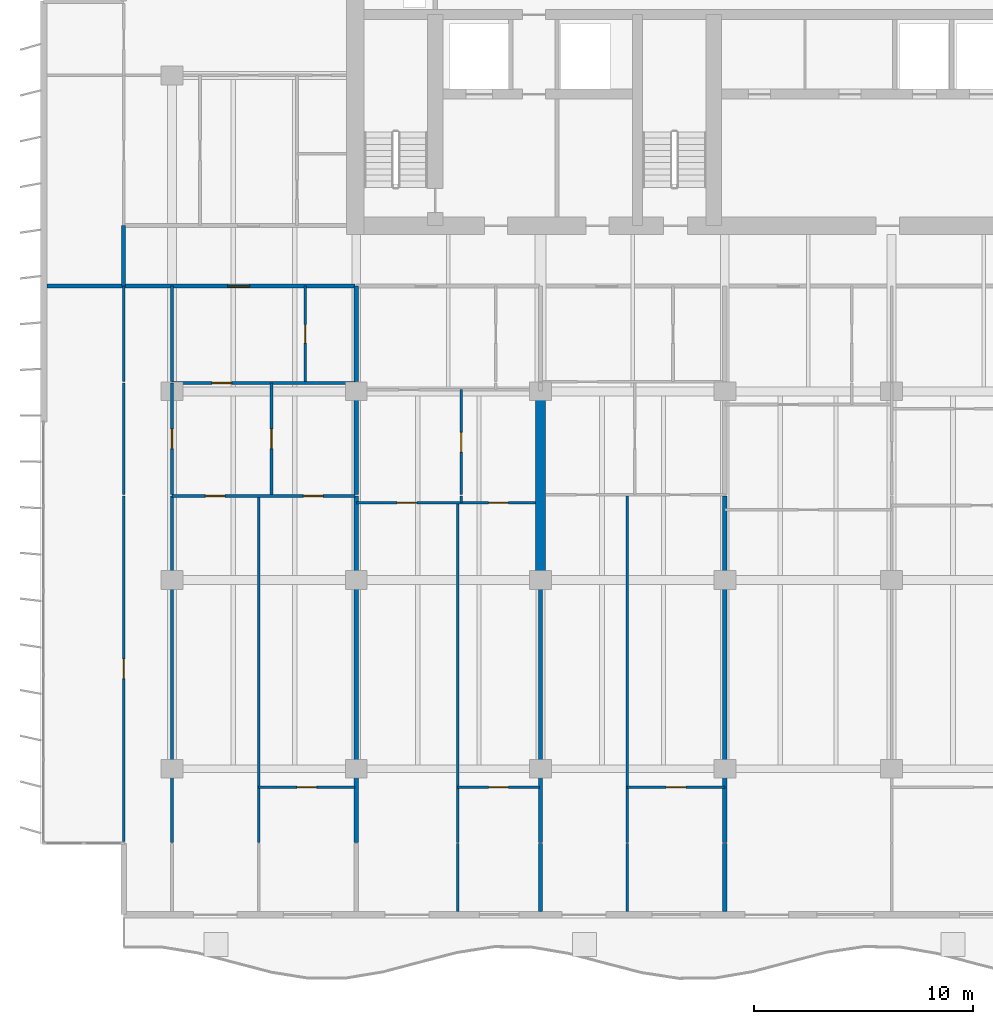
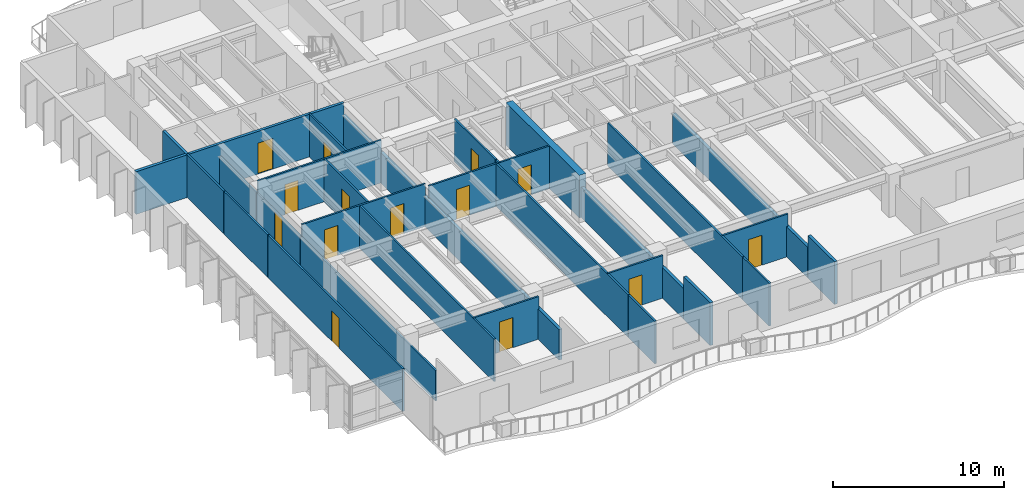
# One storey, part 6 of 16: 32 walls, 14 doors, 14 openings.
"""IFC4 building model written with IfcOpenShell, lengths in metres."""

import ifcopenshell
import ifcopenshell.guid

model = None  # the IFC model being written
_history = None  # IfcOwnerHistory: only IFC2X3 demands one
_inside = {}  # id of a spatial element -> (the spatial element, [elements in it])
_under = {}  # id of a project, library or spatial element -> (it, [spatial elements below it])
_declared = {}  # id of a project -> (the project, [libraries it declares])
_typed = {}  # id of a type object -> (the type object, [elements of that type])
_made_of = {}  # id of a material, layer set ... -> (it, [elements and type objects made of it])


def new_model(schema):
    """Start an empty IFC model of exactly this schema.

    Asked for "IFC4X3", IfcOpenShell would pick the latest addendum, in which some entities
    have other attributes; the version numbers below select the first issue.
    IFC2X3 requires an IfcOwnerHistory on every rooted entity: one is made here for all.
    """
    global model, _history
    if schema == "IFC4X3":
        model = ifcopenshell.file(schema_version=(4, 3, 0, 0))
    else:
        model = ifcopenshell.file(schema=schema)
    _inside.clear()
    _under.clear()
    _declared.clear()
    _typed.clear()
    _made_of.clear()
    _history = None
    if model.schema == "IFC2X3":
        org = make("IfcOrganization", Name="unknown")
        user = make(
            "IfcPersonAndOrganization",
            ThePerson=make("IfcPerson", FamilyName="unknown"),
            TheOrganization=org,
        )
        app = make(
            "IfcApplication",
            ApplicationDeveloper=org,
            Version="unknown",
            ApplicationFullName="unknown",
            ApplicationIdentifier="unknown",
        )
        _history = make(
            "IfcOwnerHistory",
            OwningUser=user,
            OwningApplication=app,
            ChangeAction="ADDED",
            CreationDate=0,
        )
    return model


def make(cls, **values):
    """One entity of the class cls with the attributes given. An attribute that is None is left unset."""
    return model.create_entity(
        cls, **{name: value for name, value in values.items() if value is not None}
    )


def rooted(cls, **values):
    """An entity with a GlobalId (a new one), such as an element, a storey or a relation."""
    return make(cls, GlobalId=ifcopenshell.guid.new(), OwnerHistory=_history, **values)


def si_unit(unit_type, name, prefix=None):
    """IfcSIUnit, for example si_unit("LENGTHUNIT", "METRE", prefix="MILLI")."""
    return make("IfcSIUnit", UnitType=unit_type, Prefix=prefix, Name=name)


def assignment(units):
    """IfcUnitAssignment: the units of a project."""
    return None if units is None else make("IfcUnitAssignment", Units=units)


def point(xyz):
    """IfcCartesianPoint."""
    return None if xyz is None else make("IfcCartesianPoint", Coordinates=xyz)


def direction(xyz):
    """IfcDirection."""
    return None if xyz is None else make("IfcDirection", DirectionRatios=xyz)


def frame(location, z_axis=None, x_axis=None):
    """IfcAxis2Placement3D, a coordinate frame: its origin and axes. An axis left out is left unset."""
    return make(
        "IfcAxis2Placement3D",
        Location=point(location),
        Axis=direction(z_axis),
        RefDirection=direction(x_axis),
    )


def frame_2d(location, x_axis=None):
    """IfcAxis2Placement2D, a coordinate frame in the plane: its origin and x axis."""
    return make(
        "IfcAxis2Placement2D", Location=point(location), RefDirection=direction(x_axis)
    )


def origin():
    """The frame at (0, 0, 0) with its axes left unset."""
    return frame((0.0, 0.0, 0.0))


def place(relative_to, where):
    """IfcLocalPlacement: puts the frame where relative to a parent placement (None: the world)."""
    return make(
        "IfcLocalPlacement", PlacementRelTo=relative_to, RelativePlacement=where
    )


def context(
    kind, dimensions, precision=None, world=None, true_north=None, identifier=None
):
    """IfcGeometricRepresentationContext, for example the 3D "Model" context."""
    return make(
        "IfcGeometricRepresentationContext",
        ContextIdentifier=identifier,
        ContextType=kind,
        CoordinateSpaceDimension=dimensions,
        Precision=precision,
        WorldCoordinateSystem=world,
        TrueNorth=true_north,
    )


def subcontext(parent, identifier, kind, view, scale=None):
    """IfcGeometricRepresentationSubContext, for example "Body" below "Model"."""
    return make(
        "IfcGeometricRepresentationSubContext",
        ContextIdentifier=identifier,
        ContextType=kind,
        ParentContext=parent,
        TargetScale=scale,
        TargetView=view,
    )


def project(units=None, contexts=None):
    """IfcProject with its units and contexts."""
    return rooted(
        "IfcProject",
        Name="project",
        RepresentationContexts=contexts,
        UnitsInContext=assignment(units),
    )


def spatial(cls, under=None, at=None, **own):
    """A site, building, storey or space (cls), placed at a placement, below another one or the project."""
    s = rooted(cls, ObjectPlacement=at, **own)
    if under is not None:
        _under.setdefault(under.id(), (under, []))[1].append(s)
    return s


def profile(cls, at=None, kind="AREA", **sizes):
    """A parametric profile (cls). Its sizes go by their IFC names, for example OverallWidth=200.0."""
    return make(cls, ProfileType=kind, Position=at, **sizes)


def rectangle(**sizes):
    """IfcRectangleProfileDef."""
    return profile("IfcRectangleProfileDef", **sizes)


def extrude(swept, where, along, depth):
    """IfcExtrudedAreaSolid: the profile swept, set in the frame where, extruded along a direction by depth."""
    return make(
        "IfcExtrudedAreaSolid",
        SweptArea=swept,
        Position=where,
        ExtrudedDirection=direction(along),
        Depth=depth,
    )


def shape(context_of_items, identifier, shape_type, items):
    """IfcShapeRepresentation: the items that make up one representation, for example the "Body"."""
    return make(
        "IfcShapeRepresentation",
        ContextOfItems=context_of_items,
        RepresentationIdentifier=identifier,
        RepresentationType=shape_type,
        Items=items,
    )


def material(Name=None, Category=None):
    """IfcMaterial."""
    return make("IfcMaterial", Name=Name, Category=Category)


def layer(
    of_material, thickness, ventilated=None, Name=None, Category=None, Priority=None
):
    """IfcMaterialLayer: one layer of a wall or slab, of a material (None: an air gap)."""
    return make(
        "IfcMaterialLayer",
        Material=of_material,
        LayerThickness=thickness,
        IsVentilated=ventilated,
        Name=Name,
        Category=Category,
        Priority=Priority,
    )


def layer_set(layers, Name=None):
    """IfcMaterialLayerSet."""
    return make("IfcMaterialLayerSet", MaterialLayers=layers, LayerSetName=Name)


def made_of(thing, what):
    """Note that an element or type object is made of a material, layer set ...; save() writes the relation."""
    if what is not None:
        _made_of.setdefault(what.id(), (what, []))[1].append(thing)
    return thing


def type_object(cls, material=None, **own):
    """A type object (cls), such as IfcWallType, which elements share."""
    return made_of(rooted(cls, **own), material)


def element(
    cls,
    number,
    at=None,
    inside=None,
    cuts=None,
    type_object=None,
    material=None,
    context=None,
    identifier="Body",
    shape_type=None,
    held_by="IfcProductDefinitionShape",
    body=None,
    shapes=None,
    **own,
):
    """One element of the class cls, such as IfcWall. Its Tag is "e" and its number.

    at: its placement. inside: the storey or other place that contains it. cuts: it is an
    opening in that element (IfcRelVoidsElement). A single representation is given by context,
    identifier, shape_type and body (its items); several are given by shapes. held_by: the class
    of the entity that holds the representations. save() writes the other relations.
    """
    e = rooted(cls, Tag="e%d" % number, ObjectPlacement=at, **own)
    if body is not None:
        shapes = [shape(context, identifier, shape_type, body)]
    if shapes is not None:
        e.Representation = make(held_by, Representations=shapes)
    if inside is not None:
        _inside.setdefault(inside.id(), (inside, []))[1].append(e)
    if cuts is not None:
        rooted(
            "IfcRelVoidsElement", RelatingBuildingElement=cuts, RelatedOpeningElement=e
        )
    if type_object is not None:
        _typed.setdefault(type_object.id(), (type_object, []))[1].append(e)
    return made_of(e, material)


def fill(opening, filler):
    """IfcRelFillsElement: the door or window that sits in an opening."""
    return rooted(
        "IfcRelFillsElement",
        RelatingOpeningElement=opening,
        RelatedBuildingElement=filler,
    )


def aggregate(whole, parts):
    """IfcRelAggregates: a whole, such as a stair, and the parts it consists of."""
    return rooted("IfcRelAggregates", RelatingObject=whole, RelatedObjects=parts)


def save(model, path):
    """Write the relations noted so far, then the file.

    IfcRelAggregates (storeys below a building ...), IfcRelContainedInSpatialStructure (elements
    in a storey), IfcRelDefinesByType, IfcRelAssociatesMaterial and IfcRelDeclares: one each for
    every whole, place, type object, material and project.
    """
    for whole, parts in _under.values():
        aggregate(whole, parts)
    for where, things in _inside.values():
        rooted(
            "IfcRelContainedInSpatialStructure",
            RelatedElements=things,
            RelatingStructure=where,
        )
    for kind, things in _typed.values():
        rooted("IfcRelDefinesByType", RelatedObjects=things, RelatingType=kind)
    for what, things in _made_of.values():
        rooted("IfcRelAssociatesMaterial", RelatedObjects=things, RelatingMaterial=what)
    for by, libraries in _declared.values():
        rooted("IfcRelDeclares", RelatingContext=by, RelatedDefinitions=libraries)
    model.write(path)


model = new_model("IFC4")

# Units and contexts
model_context = context("Model", 3, precision=1e-05, world=origin(), true_north=direction((0.0, 1.0)))
body_context = subcontext(model_context, "Body", "Model", "MODEL_VIEW")
ifc_project = project(units=[si_unit("LENGTHUNIT", "METRE"), si_unit("AREAUNIT", "SQUARE_METRE"), si_unit("VOLUMEUNIT", "CUBIC_METRE"), si_unit("PLANEANGLEUNIT", "RADIAN"), si_unit("MASSUNIT", "GRAM", prefix="KILO")], contexts=[model_context])

# Site, building, storey
site_placement = place(None, origin())
site = spatial("IfcSite", under=ifc_project, at=site_placement, CompositionType="ELEMENT")
building_placement = place(site_placement, origin())
building = spatial("IfcBuilding", under=site, at=building_placement, Name="Caelmar Bay Residences", CompositionType="ELEMENT")
storey_placement = place(building_placement, frame((0.0, 0.0, 145.5)))
storey = spatial("IfcBuildingStorey", under=building, at=storey_placement, Name="L40", CompositionType="ELEMENT", Elevation=145.5)

# Walls
ifc_material_1 = material(Name="Concrete f'c 55 MPa (8,000 psi)", Category="concrete")
ifc_layer_1 = layer(ifc_material_1, 0.449951171875)
ifc_layer_set_1 = layer_set([ifc_layer_1], Name="Concrete f'c 55 MPa (8,000 psi)")
wall_type_1 = type_object("IfcWallType", Name="SW-XSLB-450", PredefinedType="SHEAR", material=ifc_layer_set_1)
wall_1_placement = place(storey_placement, frame((26.699951171875, 20.800048828125, 0.0), z_axis=(0.0, 0.0, 1.0), x_axis=(0.0, 1.0, 0.0)))
element("IfcWall", 1, at=wall_1_placement, inside=storey, type_object=wall_type_1, Name="L40 Transverse Cross-Slab Shear Wall W5", PredefinedType="SHEAR", context=body_context, shape_type="SweptSolid", body=[
    extrude(rectangle(XDim=8.599853515625, YDim=0.449951171875, at=frame_2d((4.2998046875, 0.0))), origin(), (0.0, 0.0, 1.0), 3.050048828125),
])
ifc_material_2 = material(Name="Double-stud acoustic fire-rated gypsum partition 180 mm")
ifc_layer_2 = layer(ifc_material_2, 0.179931640625)
ifc_layer_set_2 = layer_set([ifc_layer_2], Name="Double-stud acoustic fire-rated gypsum partition 180 mm")
wall_type_2 = type_object("IfcWallType", Name="W-COR-200", PredefinedType="PARTITIONING", material=ifc_layer_set_2)
wall_2_placement = place(storey_placement, frame((7.699951171875, 34.205078125, 0.0), z_axis=(0.0, 0.0, 1.0), x_axis=(0.0, 1.0, 0.0)))
element("IfcWall", 2, at=wall_2_placement, inside=storey, type_object=wall_type_2, Name="L40 Partition Wall V004", PredefinedType="PARTITIONING", context=body_context, shape_type="SweptSolid", body=[
    extrude(rectangle(XDim=2.744873046875, YDim=0.179931640625, at=frame_2d((1.37255859375, 0.0))), origin(), (0.0, 0.0, 1.0), 3.050048828125),
])

# Wall, opening, door
wall_3_placement = place(storey_placement, frame((7.705078125, 34.199951171875, 0.0), z_axis=(0.0, 0.0, 1.0), x_axis=(1.0, 0.0, 0.0)))
wall_3 = element("IfcWall", 3, at=wall_3_placement, inside=storey, type_object=wall_type_2, Name="L40 Partition Wall H110", PredefinedType="PARTITIONING", context=body_context, shape_type="SweptSolid", body=[
    extrude(rectangle(XDim=10.544921875, YDim=0.179931640625, at=frame_2d((5.2724609375, 0.0))), origin(), (0.0, 0.0, 1.0), 3.050048828125),
])
opening_1_placement = place(wall_3_placement, frame((4.72998046875, 0.0, 0.0)))
opening_1 = element("IfcOpeningElement", 4, at=opening_1_placement, cuts=wall_3, Name="Opening D-L40-124", PredefinedType="OPENING", context=body_context, shape_type="SweptSolid", body=[
    extrude(rectangle(XDim=1.0, YDim=2.199951171875, at=frame_2d((0.5, 1.10009765625))), frame((0.0, 0.099853515625, 0.0), z_axis=(0.0, -1.0, 0.0), x_axis=(1.0, 0.0, 0.0)), (0.0, 0.0, 1.0), 0.199951171875),
])
ifc_material_3 = material(Name="Fire-rated steel and walnut architectural door assembly", Category="steel")
ifc_layer_3 = layer(ifc_material_3, 0.050048828125)
ifc_layer_set_3 = layer_set([ifc_layer_3], Name="Fire-rated steel and walnut architectural door assembly")
door_type_1 = type_object("IfcDoorType", Name="D-UNIT-1000", OperationType="NOTDEFINED", PredefinedType="DOOR", material=ifc_layer_set_3)
door_1_placement = place(opening_1_placement, origin())
door_1 = element("IfcDoor", 5, at=door_1_placement, inside=storey, type_object=door_type_1, Name="L40 Residence 01 Apartment Hall Door", OperationType="SINGLE_SWING_RIGHT", OverallHeight=2.199951171875, OverallWidth=1.0, PredefinedType="DOOR", context=body_context, shape_type="SweptSolid", body=[
    extrude(rectangle(XDim=1.0, YDim=2.199951171875, at=frame_2d((0.5, 1.10009765625))), frame((0.0, 0.02490234375, 0.0), z_axis=(0.0, -1.0, 0.0), x_axis=(1.0, 0.0, 0.0)), (0.0, 0.0, 1.0), 0.050048828125),
])
fill(opening_1, door_1)

ifc_material_4 = material(Name="Acoustic metal-stud gypsum partition 120 mm")
ifc_layer_4 = layer(ifc_material_4, 0.1201171875)
ifc_layer_set_4 = layer_set([ifc_layer_4], Name="Acoustic metal-stud gypsum partition 120 mm")
wall_type_3 = type_object("IfcWallType", Name="W-PRT-120", PredefinedType="PARTITIONING", material=ifc_layer_set_4)
wall_4_placement = place(storey_placement, frame((7.699951171875, 8.885009765625, 0.0), z_axis=(0.0, 0.0, 1.0), x_axis=(0.0, 1.0, 0.0)))
wall_4 = element("IfcWall", 6, at=wall_4_placement, inside=storey, type_object=wall_type_3, Name="L40 Partition Wall V001", PredefinedType="PARTITIONING", context=body_context, shape_type="SweptSolid", body=[
    extrude(rectangle(XDim=15.744873046875, YDim=0.1201171875, at=frame_2d((7.87255859375, 0.0))), origin(), (0.0, 0.0, 1.0), 3.050048828125),
])
opening_2_placement = place(wall_4_placement, frame((7.422607421875, 0.0, 0.0)))
opening_2 = element("IfcOpeningElement", 7, at=opening_2_placement, cuts=wall_4, Name="Opening D-L40-166", PredefinedType="OPENING", context=body_context, shape_type="SweptSolid", body=[
    extrude(rectangle(XDim=0.89990234375, YDim=2.14990234375, at=frame_2d((0.449951171875, 1.074951171875))), frame((0.0, 0.070068359375, 0.0), z_axis=(0.0, -1.0, 0.0), x_axis=(1.0, 0.0, 0.0)), (0.0, 0.0, 1.0), 0.14013671875),
])
ifc_material_5 = material(Name="Solid walnut timber interior door leaf and frame", Category="wood")
ifc_layer_5 = layer(ifc_material_5, 0.050048828125)
ifc_layer_set_5 = layer_set([ifc_layer_5], Name="Solid walnut timber interior door leaf and frame")
door_type_2 = type_object("IfcDoorType", Name="D-ROOM-900", OperationType="NOTDEFINED", PredefinedType="DOOR", material=ifc_layer_set_5)
door_2_placement = place(opening_2_placement, origin())
door_2 = element("IfcDoor", 8, at=door_2_placement, inside=storey, type_object=door_type_2, Name="L40 Residence 01 Penthouse West Salon Door", OperationType="SINGLE_SWING_RIGHT", OverallHeight=2.14990234375, OverallWidth=0.89990234375, PredefinedType="DOOR", context=body_context, shape_type="SweptSolid", body=[
    extrude(rectangle(XDim=0.89990234375, YDim=2.14990234375, at=frame_2d((0.449951171875, 1.074951171875))), frame((0.0, 0.02490234375, 0.0), z_axis=(0.0, -1.0, 0.0), x_axis=(1.0, 0.0, 0.0)), (0.0, 0.0, 1.0), 0.050048828125),
])
fill(opening_2, door_2)

# Walls
wall_5_placement = place(storey_placement, frame((7.699951171875, 24.68994140625, 0.0), z_axis=(0.0, 0.0, 1.0), x_axis=(0.0, 1.0, 0.0)))
element("IfcWall", 9, at=wall_5_placement, inside=storey, type_object=wall_type_3, Name="L40 Partition Wall V002", PredefinedType="PARTITIONING", context=body_context, shape_type="SweptSolid", body=[
    extrude(rectangle(XDim=5.090087890625, YDim=0.1201171875, at=frame_2d((2.544921875, 0.0))), origin(), (0.0, 0.0, 1.0), 3.050048828125),
])
wall_6_placement = place(storey_placement, frame((7.699951171875, 29.840087890625, 0.0), z_axis=(0.0, 0.0, 1.0), x_axis=(0.0, 1.0, 0.0)))
element("IfcWall", 10, at=wall_6_placement, inside=storey, type_object=wall_type_3, Name="L40 Partition Wall V003", PredefinedType="PARTITIONING", context=body_context, shape_type="SweptSolid", body=[
    extrude(rectangle(XDim=4.35986328125, YDim=0.1201171875, at=frame_2d((2.179931640625, 0.0))), origin(), (0.0, 0.0, 1.0), 3.050048828125),
])
wall_7_placement = place(storey_placement, frame((9.89990234375, 8.840087890625, 0.0), z_axis=(0.0, 0.0, 1.0), x_axis=(0.0, 1.0, 0.0)))
element("IfcWall", 11, at=wall_7_placement, inside=storey, type_object=wall_type_3, Name="L40 Partition Wall V008", PredefinedType="PARTITIONING", context=body_context, shape_type="SweptSolid", body=[
    extrude(rectangle(XDim=15.789794921875, YDim=0.1201171875, at=frame_2d((7.89501953125, 0.0))), origin(), (0.0, 0.0, 1.0), 2.174072265625),
])

# Wall, opening, door
wall_8_placement = place(storey_placement, frame((9.89990234375, 24.68994140625, 0.0), z_axis=(0.0, 0.0, 1.0), x_axis=(0.0, 1.0, 0.0)))
wall_8 = element("IfcWall", 12, at=wall_8_placement, inside=storey, type_object=wall_type_3, Name="L40 Partition Wall V009", PredefinedType="PARTITIONING", context=body_context, shape_type="SweptSolid", body=[
    extrude(rectangle(XDim=5.090087890625, YDim=0.1201171875, at=frame_2d((2.544921875, 0.0))), origin(), (0.0, 0.0, 1.0), 2.174072265625),
])
opening_3_placement = place(wall_8_placement, frame((2.094970703125, 0.0, 0.0)))
opening_3 = element("IfcOpeningElement", 13, at=opening_3_placement, cuts=wall_8, Name="Opening D-L40-131", PredefinedType="OPENING", context=body_context, shape_type="SweptSolid", body=[
    extrude(rectangle(XDim=0.89990234375, YDim=2.1240234375, at=frame_2d((0.449951171875, 1.06201171875))), frame((0.0, 0.070068359375, 0.0), z_axis=(0.0, -1.0, 0.0), x_axis=(1.0, 0.0, 0.0)), (0.0, 0.0, 1.0), 0.14013671875),
])
door_3_placement = place(opening_3_placement, origin())
door_3 = element("IfcDoor", 14, at=door_3_placement, inside=storey, type_object=door_type_2, Name="L40 Residence 01 West Apartment Hall Door", OperationType="SINGLE_SWING_LEFT", OverallHeight=2.1240234375, OverallWidth=0.89990234375, PredefinedType="DOOR", context=body_context, shape_type="SweptSolid", body=[
    extrude(rectangle(XDim=0.89990234375, YDim=2.1240234375, at=frame_2d((0.449951171875, 1.06201171875))), frame((0.0, 0.02490234375, 0.0), z_axis=(0.0, -1.0, 0.0), x_axis=(1.0, 0.0, 0.0)), (0.0, 0.0, 1.0), 0.050048828125),
])
fill(opening_3, door_3)

# Walls
wall_9_placement = place(storey_placement, frame((9.89990234375, 29.840087890625, 0.0), z_axis=(0.0, 0.0, 1.0), x_axis=(0.0, 1.0, 0.0)))
element("IfcWall", 15, at=wall_9_placement, inside=storey, type_object=wall_type_3, Name="L40 Partition Wall V010", PredefinedType="PARTITIONING", context=body_context, shape_type="SweptSolid", body=[
    extrude(rectangle(XDim=4.35986328125, YDim=0.1201171875, at=frame_2d((2.179931640625, 0.0))), origin(), (0.0, 0.0, 1.0), 2.174072265625),
])
wall_10_placement = place(storey_placement, frame((13.847900390625, 8.840087890625, 0.0), z_axis=(0.0, 0.0, 1.0), x_axis=(0.0, 1.0, 0.0)))
element("IfcWall", 16, at=wall_10_placement, inside=storey, type_object=wall_type_3, Name="L40 Partition Wall V013", PredefinedType="PARTITIONING", context=body_context, shape_type="SweptSolid", body=[
    extrude(rectangle(XDim=15.789794921875, YDim=0.1201171875, at=frame_2d((7.89501953125, 0.0))), origin(), (0.0, 0.0, 1.0), 3.050048828125),
])

# Wall, opening, door
wall_11_placement = place(storey_placement, frame((14.43603515625, 24.68994140625, 0.0), z_axis=(0.0, 0.0, 1.0), x_axis=(0.0, 1.0, 0.0)))
wall_11 = element("IfcWall", 17, at=wall_11_placement, inside=storey, type_object=wall_type_3, Name="L40 Partition Wall V014", PredefinedType="PARTITIONING", context=body_context, shape_type="SweptSolid", body=[
    extrude(rectangle(XDim=5.090087890625, YDim=0.1201171875, at=frame_2d((2.544921875, 0.0))), origin(), (0.0, 0.0, 1.0), 3.050048828125),
])
opening_4_placement = place(wall_11_placement, frame((2.094970703125, 0.0, 0.0)))
opening_4 = element("IfcOpeningElement", 18, at=opening_4_placement, cuts=wall_11, Name="Opening D-L40-127", PredefinedType="OPENING", context=body_context, shape_type="SweptSolid", body=[
    extrude(rectangle(XDim=0.89990234375, YDim=2.14990234375, at=frame_2d((0.449951171875, 1.074951171875))), frame((0.0, 0.070068359375, 0.0), z_axis=(0.0, -1.0, 0.0), x_axis=(1.0, 0.0, 0.0)), (0.0, 0.0, 1.0), 0.14013671875),
])
door_4_placement = place(opening_4_placement, origin())
door_4 = element("IfcDoor", 19, at=door_4_placement, inside=storey, type_object=door_type_2, Name="L40 Residence 01 Curator Office Door", OperationType="SINGLE_SWING_LEFT", OverallHeight=2.14990234375, OverallWidth=0.89990234375, PredefinedType="DOOR", context=body_context, shape_type="SweptSolid", body=[
    extrude(rectangle(XDim=0.89990234375, YDim=2.14990234375, at=frame_2d((0.449951171875, 1.074951171875))), frame((0.0, 0.02490234375, 0.0), z_axis=(0.0, -1.0, 0.0), x_axis=(1.0, 0.0, 0.0)), (0.0, 0.0, 1.0), 0.050048828125),
])
fill(opening_4, door_4)

wall_12_placement = place(storey_placement, frame((15.969970703125, 29.840087890625, 0.0), z_axis=(0.0, 0.0, 1.0), x_axis=(0.0, 1.0, 0.0)))
wall_12 = element("IfcWall", 20, at=wall_12_placement, inside=storey, type_object=wall_type_3, Name="L40 Partition Wall V016", PredefinedType="PARTITIONING", context=body_context, shape_type="SweptSolid", body=[
    extrude(rectangle(XDim=4.35986328125, YDim=0.1201171875, at=frame_2d((2.179931640625, 0.0))), origin(), (0.0, 0.0, 1.0), 3.050048828125),
])
opening_5_placement = place(wall_12_placement, frame((1.7548828125, 0.0, 0.0)))
opening_5 = element("IfcOpeningElement", 21, at=opening_5_placement, cuts=wall_12, Name="Opening D-L40-125", PredefinedType="OPENING", context=body_context, shape_type="SweptSolid", body=[
    extrude(rectangle(XDim=0.85009765625, YDim=2.10009765625, at=frame_2d((0.425048828125, 1.050048828125))), frame((0.0, 0.070068359375, 0.0), z_axis=(0.0, -1.0, 0.0), x_axis=(1.0, 0.0, 0.0)), (0.0, 0.0, 1.0), 0.14013671875),
])
ifc_layer_6 = layer(ifc_material_5, 0.050048828125)
ifc_layer_set_6 = layer_set([ifc_layer_6], Name="Solid walnut timber interior door leaf and frame")
door_type_3 = type_object("IfcDoorType", Name="D-BATH-850", OperationType="NOTDEFINED", PredefinedType="DOOR", material=ifc_layer_set_6)
door_5_placement = place(opening_5_placement, origin())
door_5 = element("IfcDoor", 22, at=door_5_placement, inside=storey, type_object=door_type_3, Name="L40 Residence 01 Bathroom Door", OperationType="SINGLE_SWING_LEFT", OverallHeight=2.10009765625, OverallWidth=0.85009765625, PredefinedType="DOOR", context=body_context, shape_type="SweptSolid", body=[
    extrude(rectangle(XDim=0.85009765625, YDim=2.10009765625, at=frame_2d((0.425048828125, 1.050048828125))), frame((0.0, 0.02490234375, 0.0), z_axis=(0.0, -1.0, 0.0), x_axis=(1.0, 0.0, 0.0)), (0.0, 0.0, 1.0), 0.050048828125),
])
fill(opening_5, door_5)

# Walls
wall_13_placement = place(storey_placement, frame((22.919921875, 5.695068359375, 0.0), z_axis=(0.0, 0.0, 1.0), x_axis=(0.0, 1.0, 0.0)))
element("IfcWall", 23, at=wall_13_placement, inside=storey, type_object=wall_type_3, Name="L40 Partition Wall V022", PredefinedType="PARTITIONING", context=body_context, shape_type="SweptSolid", body=[
    extrude(rectangle(XDim=3.10498046875, YDim=0.1201171875, at=frame_2d((1.552490234375, 0.0))), origin(), (0.0, 0.0, 1.0), 3.050048828125),
])
wall_14_placement = place(storey_placement, frame((22.919921875, 8.840087890625, 0.0), z_axis=(0.0, 0.0, 1.0), x_axis=(0.0, 1.0, 0.0)))
element("IfcWall", 24, at=wall_14_placement, inside=storey, type_object=wall_type_3, Name="L40 Partition Wall V023", PredefinedType="PARTITIONING", context=body_context, shape_type="SweptSolid", body=[
    extrude(rectangle(XDim=15.489990234375, YDim=0.1201171875, at=frame_2d((7.7451171875, 0.0))), origin(), (0.0, 0.0, 1.0), 3.050048828125),
])
wall_15_placement = place(storey_placement, frame((23.0859375, 24.3349609375, 0.0), z_axis=(0.0, 0.0, 1.0), x_axis=(0.0, 1.0, 0.0)))
element("IfcWall", 25, at=wall_15_placement, inside=storey, type_object=wall_type_3, Name="L40 Partition Wall V024", PredefinedType="PARTITIONING", context=body_context, shape_type="SweptSolid", body=[
    extrude(rectangle(XDim=0.294921875, YDim=0.1201171875, at=frame_2d((0.1474609375, 0.0))), origin(), (0.0, 0.0, 1.0), 3.050048828125),
])

# Wall, opening, door
wall_16_placement = place(storey_placement, frame((23.0859375, 24.68994140625, 0.0), z_axis=(0.0, 0.0, 1.0), x_axis=(0.0, 1.0, 0.0)))
wall_16 = element("IfcWall", 26, at=wall_16_placement, inside=storey, type_object=wall_type_3, Name="L40 Partition Wall V025", PredefinedType="PARTITIONING", context=body_context, shape_type="SweptSolid", body=[
    extrude(rectangle(XDim=4.7900390625, YDim=0.1201171875, at=frame_2d((2.39501953125, 0.0))), origin(), (0.0, 0.0, 1.0), 3.050048828125),
])
opening_6_placement = place(wall_16_placement, frame((1.945068359375, 0.0, 0.0)))
opening_6 = element("IfcOpeningElement", 27, at=opening_6_placement, cuts=wall_16, Name="Opening D-L40-135", PredefinedType="OPENING", context=body_context, shape_type="SweptSolid", body=[
    extrude(rectangle(XDim=0.89990234375, YDim=2.14990234375, at=frame_2d((0.449951171875, 1.074951171875))), frame((0.0, 0.070068359375, 0.0), z_axis=(0.0, -1.0, 0.0), x_axis=(1.0, 0.0, 0.0)), (0.0, 0.0, 1.0), 0.14013671875),
])
door_6_placement = place(opening_6_placement, origin())
door_6 = element("IfcDoor", 28, at=door_6_placement, inside=storey, type_object=door_type_2, Name="L40 Residence 02 Curator Office Door", OperationType="SINGLE_SWING_LEFT", OverallHeight=2.14990234375, OverallWidth=0.89990234375, PredefinedType="DOOR", context=body_context, shape_type="SweptSolid", body=[
    extrude(rectangle(XDim=0.89990234375, YDim=2.14990234375, at=frame_2d((0.449951171875, 1.074951171875))), frame((0.0, 0.02490234375, 0.0), z_axis=(0.0, -1.0, 0.0), x_axis=(1.0, 0.0, 0.0)), (0.0, 0.0, 1.0), 0.050048828125),
])
fill(opening_6, door_6)

# Walls
wall_17_placement = place(storey_placement, frame((30.64794921875, 5.695068359375, 0.0), z_axis=(0.0, 0.0, 1.0), x_axis=(0.0, 1.0, 0.0)))
element("IfcWall", 29, at=wall_17_placement, inside=storey, type_object=wall_type_3, Name="L40 Partition Wall V036", PredefinedType="PARTITIONING", context=body_context, shape_type="SweptSolid", body=[
    extrude(rectangle(XDim=3.10498046875, YDim=0.1201171875, at=frame_2d((1.552490234375, 0.0))), origin(), (0.0, 0.0, 1.0), 3.050048828125),
])
wall_18_placement = place(storey_placement, frame((30.64794921875, 8.840087890625, 0.0), z_axis=(0.0, 0.0, 1.0), x_axis=(0.0, 1.0, 0.0)))
element("IfcWall", 30, at=wall_18_placement, inside=storey, type_object=wall_type_3, Name="L40 Partition Wall V037", PredefinedType="PARTITIONING", context=body_context, shape_type="SweptSolid", body=[
    extrude(rectangle(XDim=15.789794921875, YDim=0.1201171875, at=frame_2d((7.89501953125, 0.0))), origin(), (0.0, 0.0, 1.0), 3.050048828125),
])

# Wall, opening, door
wall_19_placement = place(storey_placement, frame((13.847900390625, 11.35009765625, 0.0), z_axis=(0.0, 0.0, 1.0), x_axis=(1.0, 0.0, 0.0)))
wall_19 = element("IfcWall", 31, at=wall_19_placement, inside=storey, type_object=wall_type_3, Name="L40 Partition Wall H090", PredefinedType="PARTITIONING", context=body_context, shape_type="SweptSolid", body=[
    extrude(rectangle(XDim=4.402099609375, YDim=0.1201171875, at=frame_2d((2.201171875, 0.0))), origin(), (0.0, 0.0, 1.0), 3.050048828125),
])
opening_7_placement = place(wall_19_placement, frame((1.7509765625, 0.0, 0.0)))
opening_7 = element("IfcOpeningElement", 32, at=opening_7_placement, cuts=wall_19, Name="Opening D-L40-130", PredefinedType="OPENING", context=body_context, shape_type="SweptSolid", body=[
    extrude(rectangle(XDim=0.89990234375, YDim=2.14990234375, at=frame_2d((0.449951171875, 1.074951171875))), frame((0.0, 0.070068359375, 0.0), z_axis=(0.0, -1.0, 0.0), x_axis=(1.0, 0.0, 0.0)), (0.0, 0.0, 1.0), 0.14013671875),
])
door_7_placement = place(opening_7_placement, origin())
door_7 = element("IfcDoor", 33, at=door_7_placement, inside=storey, type_object=door_type_2, Name="L40 Residence 01 Primary Bedroom Door", OperationType="SINGLE_SWING_RIGHT", OverallHeight=2.14990234375, OverallWidth=0.89990234375, PredefinedType="DOOR", context=body_context, shape_type="SweptSolid", body=[
    extrude(rectangle(XDim=0.89990234375, YDim=2.14990234375, at=frame_2d((0.449951171875, 1.074951171875))), frame((0.0, 0.02490234375, 0.0), z_axis=(0.0, -1.0, 0.0), x_axis=(1.0, 0.0, 0.0)), (0.0, 0.0, 1.0), 0.050048828125),
])
fill(opening_7, door_7)

wall_20_placement = place(storey_placement, frame((22.919921875, 11.35009765625, 0.0), z_axis=(0.0, 0.0, 1.0), x_axis=(1.0, 0.0, 0.0)))
wall_20 = element("IfcWall", 34, at=wall_20_placement, inside=storey, type_object=wall_type_3, Name="L40 Partition Wall H091", PredefinedType="PARTITIONING", context=body_context, shape_type="SweptSolid", body=[
    extrude(rectangle(XDim=3.72998046875, YDim=0.1201171875, at=frame_2d((1.864990234375, 0.0))), origin(), (0.0, 0.0, 1.0), 3.050048828125),
])
opening_8_placement = place(wall_20_placement, frame((1.4150390625, 0.0, 0.0)))
opening_8 = element("IfcOpeningElement", 35, at=opening_8_placement, cuts=wall_20, Name="Opening D-L40-138", PredefinedType="OPENING", context=body_context, shape_type="SweptSolid", body=[
    extrude(rectangle(XDim=0.89990234375, YDim=2.14990234375, at=frame_2d((0.449951171875, 1.074951171875))), frame((0.0, 0.070068359375, 0.0), z_axis=(0.0, -1.0, 0.0), x_axis=(1.0, 0.0, 0.0)), (0.0, 0.0, 1.0), 0.14013671875),
])
door_8_placement = place(opening_8_placement, origin())
door_8 = element("IfcDoor", 36, at=door_8_placement, inside=storey, type_object=door_type_2, Name="L40 Residence 02 Primary Bedroom Door", OperationType="SINGLE_SWING_RIGHT", OverallHeight=2.14990234375, OverallWidth=0.89990234375, PredefinedType="DOOR", context=body_context, shape_type="SweptSolid", body=[
    extrude(rectangle(XDim=0.89990234375, YDim=2.14990234375, at=frame_2d((0.449951171875, 1.074951171875))), frame((0.0, 0.02490234375, 0.0), z_axis=(0.0, -1.0, 0.0), x_axis=(1.0, 0.0, 0.0)), (0.0, 0.0, 1.0), 0.050048828125),
])
fill(opening_8, door_8)

wall_21_placement = place(storey_placement, frame((30.64794921875, 11.35009765625, 0.0), z_axis=(0.0, 0.0, 1.0), x_axis=(1.0, 0.0, 0.0)))
wall_21 = element("IfcWall", 37, at=wall_21_placement, inside=storey, type_object=wall_type_3, Name="L40 Partition Wall H092", PredefinedType="PARTITIONING", context=body_context, shape_type="SweptSolid", body=[
    extrude(rectangle(XDim=4.4521484375, YDim=0.1201171875, at=frame_2d((2.22607421875, 0.0))), origin(), (0.0, 0.0, 1.0), 3.050048828125),
])
opening_9_placement = place(wall_21_placement, frame((1.77587890625, 0.0, 0.0)))
opening_9 = element("IfcOpeningElement", 38, at=opening_9_placement, cuts=wall_21, Name="Opening D-L40-145", PredefinedType="OPENING", context=body_context, shape_type="SweptSolid", body=[
    extrude(rectangle(XDim=0.89990234375, YDim=2.14990234375, at=frame_2d((0.449951171875, 1.074951171875))), frame((0.0, 0.070068359375, 0.0), z_axis=(0.0, -1.0, 0.0), x_axis=(1.0, 0.0, 0.0)), (0.0, 0.0, 1.0), 0.14013671875),
])
door_9_placement = place(opening_9_placement, origin())
door_9 = element("IfcDoor", 39, at=door_9_placement, inside=storey, type_object=door_type_2, Name="L40 Residence 03 Primary Bedroom Door", OperationType="SINGLE_SWING_LEFT", OverallHeight=2.14990234375, OverallWidth=0.89990234375, PredefinedType="DOOR", context=body_context, shape_type="SweptSolid", body=[
    extrude(rectangle(XDim=0.89990234375, YDim=2.14990234375, at=frame_2d((0.449951171875, 1.074951171875))), frame((0.0, 0.02490234375, 0.0), z_axis=(0.0, -1.0, 0.0), x_axis=(1.0, 0.0, 0.0)), (0.0, 0.0, 1.0), 0.050048828125),
])
fill(opening_9, door_9)

# Wall, openings, doors
wall_22_placement = place(storey_placement, frame((18.300048828125, 24.330078125, 0.0), z_axis=(0.0, 0.0, 1.0), x_axis=(1.0, 0.0, 0.0)))
wall_22 = element("IfcWall", 40, at=wall_22_placement, inside=storey, type_object=wall_type_3, Name="L40 Partition Wall H099", PredefinedType="PARTITIONING", context=body_context, shape_type="SweptSolid", body=[
    extrude(rectangle(XDim=8.179931640625, YDim=0.1201171875, at=frame_2d((4.08984375, 0.0))), origin(), (0.0, 0.0, 1.0), 3.050048828125),
])
opening_10_placement = place(wall_22_placement, frame((1.860107421875, 0.0, 0.0)))
opening_10 = element("IfcOpeningElement", 41, at=opening_10_placement, cuts=wall_22, Name="Opening D-L40-136", PredefinedType="OPENING", context=body_context, shape_type="SweptSolid", body=[
    extrude(rectangle(XDim=0.89990234375, YDim=2.14990234375, at=frame_2d((0.449951171875, 1.074951171875))), frame((0.0, 0.070068359375, 0.0), z_axis=(0.0, -1.0, 0.0), x_axis=(1.0, 0.0, 0.0)), (0.0, 0.0, 1.0), 0.14013671875),
])
opening_11_placement = place(wall_22_placement, frame((6.032958984375, 0.0, 0.0)))
opening_11 = element("IfcOpeningElement", 42, at=opening_11_placement, cuts=wall_22, Name="Opening D-L40-137", PredefinedType="OPENING", context=body_context, shape_type="SweptSolid", body=[
    extrude(rectangle(XDim=0.89990234375, YDim=2.14990234375, at=frame_2d((0.449951171875, 1.074951171875))), frame((0.0, 0.070068359375, 0.0), z_axis=(0.0, -1.0, 0.0), x_axis=(1.0, 0.0, 0.0)), (0.0, 0.0, 1.0), 0.14013671875),
])
door_10_placement = place(opening_10_placement, origin())
door_10 = element("IfcDoor", 43, at=door_10_placement, inside=storey, type_object=door_type_2, Name="L40 Residence 02 Penthouse Living Salon Door", OperationType="SINGLE_SWING_RIGHT", OverallHeight=2.14990234375, OverallWidth=0.89990234375, PredefinedType="DOOR", context=body_context, shape_type="SweptSolid", body=[
    extrude(rectangle(XDim=0.89990234375, YDim=2.14990234375, at=frame_2d((0.449951171875, 1.074951171875))), frame((0.0, 0.02490234375, 0.0), z_axis=(0.0, -1.0, 0.0), x_axis=(1.0, 0.0, 0.0)), (0.0, 0.0, 1.0), 0.050048828125),
])
fill(opening_10, door_10)
door_11_placement = place(opening_11_placement, origin())
door_11 = element("IfcDoor", 44, at=door_11_placement, inside=storey, type_object=door_type_2, Name="L40 Residence 02 Penthouse Sitting Room Door", OperationType="SINGLE_SWING_LEFT", OverallHeight=2.14990234375, OverallWidth=0.89990234375, PredefinedType="DOOR", context=body_context, shape_type="SweptSolid", body=[
    extrude(rectangle(XDim=0.89990234375, YDim=2.14990234375, at=frame_2d((0.449951171875, 1.074951171875))), frame((0.0, 0.02490234375, 0.0), z_axis=(0.0, -1.0, 0.0), x_axis=(1.0, 0.0, 0.0)), (0.0, 0.0, 1.0), 0.050048828125),
])
fill(opening_11, door_11)

wall_23_placement = place(storey_placement, frame((9.89990234375, 24.6298828125, 0.0), z_axis=(0.0, 0.0, 1.0), x_axis=(1.0, 0.0, 0.0)))
wall_23 = element("IfcWall", 45, at=wall_23_placement, inside=storey, type_object=wall_type_3, Name="L40 Partition Wall H100", PredefinedType="PARTITIONING", context=body_context, shape_type="SweptSolid", body=[
    extrude(rectangle(XDim=8.35009765625, YDim=0.1201171875, at=frame_2d((4.175048828125, 0.0))), origin(), (0.0, 0.0, 1.0), 3.050048828125),
])
opening_12_placement = place(wall_23_placement, frame((1.52392578125, 0.0, 0.0)))
opening_12 = element("IfcOpeningElement", 46, at=opening_12_placement, cuts=wall_23, Name="Opening D-L40-128", PredefinedType="OPENING", context=body_context, shape_type="SweptSolid", body=[
    extrude(rectangle(XDim=0.89990234375, YDim=2.14990234375, at=frame_2d((0.449951171875, 1.074951171875))), frame((0.0, 0.070068359375, 0.0), z_axis=(0.0, -1.0, 0.0), x_axis=(1.0, 0.0, 0.0)), (0.0, 0.0, 1.0), 0.14013671875),
])
opening_13_placement = place(wall_23_placement, frame((5.992919921875, 0.0, 0.0)))
opening_13 = element("IfcOpeningElement", 47, at=opening_13_placement, cuts=wall_23, Name="Opening D-L40-129", PredefinedType="OPENING", context=body_context, shape_type="SweptSolid", body=[
    extrude(rectangle(XDim=0.89990234375, YDim=2.14990234375, at=frame_2d((0.449951171875, 1.074951171875))), frame((0.0, 0.070068359375, 0.0), z_axis=(0.0, -1.0, 0.0), x_axis=(1.0, 0.0, 0.0)), (0.0, 0.0, 1.0), 0.14013671875),
])
door_12_placement = place(opening_12_placement, origin())
door_12 = element("IfcDoor", 48, at=door_12_placement, inside=storey, type_object=door_type_2, Name="L40 Residence 01 Living Room Door", OperationType="SINGLE_SWING_RIGHT", OverallHeight=2.14990234375, OverallWidth=0.89990234375, PredefinedType="DOOR", context=body_context, shape_type="SweptSolid", body=[
    extrude(rectangle(XDim=0.89990234375, YDim=2.14990234375, at=frame_2d((0.449951171875, 1.074951171875))), frame((0.0, 0.02490234375, 0.0), z_axis=(0.0, -1.0, 0.0), x_axis=(1.0, 0.0, 0.0)), (0.0, 0.0, 1.0), 0.050048828125),
])
fill(opening_12, door_12)
door_13_placement = place(opening_13_placement, origin())
door_13 = element("IfcDoor", 49, at=door_13_placement, inside=storey, type_object=door_type_2, Name="L40 Residence 01 Penthouse Sitting Room Door", OperationType="SINGLE_SWING_LEFT", OverallHeight=2.14990234375, OverallWidth=0.89990234375, PredefinedType="DOOR", context=body_context, shape_type="SweptSolid", body=[
    extrude(rectangle(XDim=0.89990234375, YDim=2.14990234375, at=frame_2d((0.449951171875, 1.074951171875))), frame((0.0, 0.02490234375, 0.0), z_axis=(0.0, -1.0, 0.0), x_axis=(1.0, 0.0, 0.0)), (0.0, 0.0, 1.0), 0.050048828125),
])
fill(opening_13, door_13)

# Wall, opening, door
wall_24_placement = place(storey_placement, frame((9.89990234375, 29.780029296875, 0.0), z_axis=(0.0, 0.0, 1.0), x_axis=(1.0, 0.0, 0.0)))
wall_24 = element("IfcWall", 50, at=wall_24_placement, inside=storey, type_object=wall_type_3, Name="L40 Partition Wall H107", PredefinedType="PARTITIONING", context=body_context, shape_type="SweptSolid", body=[
    extrude(rectangle(XDim=8.35009765625, YDim=0.1201171875, at=frame_2d((4.175048828125, 0.0))), origin(), (0.0, 0.0, 1.0), 3.050048828125),
])
opening_14_placement = place(wall_24_placement, frame((1.818115234375, 0.0, 0.0)))
opening_14 = element("IfcOpeningElement", 51, at=opening_14_placement, cuts=wall_24, Name="Opening D-L40-126", PredefinedType="OPENING", context=body_context, shape_type="SweptSolid", body=[
    extrude(rectangle(XDim=0.89990234375, YDim=2.14990234375, at=frame_2d((0.449951171875, 1.074951171875))), frame((0.0, 0.070068359375, 0.0), z_axis=(0.0, -1.0, 0.0), x_axis=(1.0, 0.0, 0.0)), (0.0, 0.0, 1.0), 0.14013671875),
])
door_14_placement = place(opening_14_placement, origin())
door_14 = element("IfcDoor", 52, at=door_14_placement, inside=storey, type_object=door_type_2, Name="L40 Residence 01 Kitchen Door", OperationType="SINGLE_SWING_RIGHT", OverallHeight=2.14990234375, OverallWidth=0.89990234375, PredefinedType="DOOR", context=body_context, shape_type="SweptSolid", body=[
    extrude(rectangle(XDim=0.89990234375, YDim=2.14990234375, at=frame_2d((0.449951171875, 1.074951171875))), frame((0.0, 0.02490234375, 0.0), z_axis=(0.0, -1.0, 0.0), x_axis=(1.0, 0.0, 0.0)), (0.0, 0.0, 1.0), 0.050048828125),
])
fill(opening_14, door_14)

# Walls
ifc_material_6 = material(Name="Acoustic twin-stud fire-rated inter-tenancy partition 200 mm")
ifc_layer_7 = layer(ifc_material_6, 0.199951171875)
ifc_layer_set_7 = layer_set([ifc_layer_7], Name="Acoustic twin-stud fire-rated inter-tenancy partition 200 mm")
wall_type_4 = type_object("IfcWallType", Name="W-PTY-200", PredefinedType="PARTITIONING", material=ifc_layer_set_7)
wall_25_placement = place(storey_placement, frame((18.300048828125, 8.840087890625, 0.0), z_axis=(0.0, 0.0, 1.0), x_axis=(0.0, 1.0, 0.0)))
element("IfcWall", 53, at=wall_25_placement, inside=storey, type_object=wall_type_4, Name="L40 Partition Wall V018", PredefinedType="PARTITIONING", context=body_context, shape_type="SweptSolid", body=[
    extrude(rectangle(XDim=15.789794921875, YDim=0.199951171875, at=frame_2d((7.89501953125, 0.0))), origin(), (0.0, 0.0, 1.0), 2.174072265625),
])
wall_26_placement = place(storey_placement, frame((18.300048828125, 24.68994140625, 0.0), z_axis=(0.0, 0.0, 1.0), x_axis=(0.0, 1.0, 0.0)))
element("IfcWall", 54, at=wall_26_placement, inside=storey, type_object=wall_type_4, Name="L40 Partition Wall V019", PredefinedType="PARTITIONING", context=body_context, shape_type="SweptSolid", body=[
    extrude(rectangle(XDim=5.090087890625, YDim=0.199951171875, at=frame_2d((2.544921875, 0.0))), origin(), (0.0, 0.0, 1.0), 2.174072265625),
])
wall_27_placement = place(storey_placement, frame((18.300048828125, 29.840087890625, 0.0), z_axis=(0.0, 0.0, 1.0), x_axis=(0.0, 1.0, 0.0)))
element("IfcWall", 55, at=wall_27_placement, inside=storey, type_object=wall_type_4, Name="L40 Partition Wall V020", PredefinedType="PARTITIONING", context=body_context, shape_type="SweptSolid", body=[
    extrude(rectangle(XDim=4.35986328125, YDim=0.199951171875, at=frame_2d((2.179931640625, 0.0))), origin(), (0.0, 0.0, 1.0), 2.174072265625),
])
wall_28_placement = place(storey_placement, frame((26.699951171875, 5.695068359375, 0.0), z_axis=(0.0, 0.0, 1.0), x_axis=(0.0, 1.0, 0.0)))
element("IfcWall", 56, at=wall_28_placement, inside=storey, type_object=wall_type_4, Name="L40 Partition Wall V030", PredefinedType="PARTITIONING", context=body_context, shape_type="SweptSolid", body=[
    extrude(rectangle(XDim=3.10498046875, YDim=0.199951171875, at=frame_2d((1.552490234375, 0.0))), origin(), (0.0, 0.0, 1.0), 3.050048828125),
])
wall_29_placement = place(storey_placement, frame((26.699951171875, 8.840087890625, 0.0), z_axis=(0.0, 0.0, 1.0), x_axis=(0.0, 1.0, 0.0)))
element("IfcWall", 57, at=wall_29_placement, inside=storey, type_object=wall_type_4, Name="L40 Partition Wall V031", PredefinedType="PARTITIONING", context=body_context, shape_type="SweptSolid", body=[
    extrude(rectangle(XDim=11.954833984375, YDim=0.199951171875, at=frame_2d((5.9775390625, 0.0))), origin(), (0.0, 0.0, 1.0), 2.174072265625),
])
wall_30_placement = place(storey_placement, frame((35.10009765625, 5.695068359375, 0.0), z_axis=(0.0, 0.0, 1.0), x_axis=(0.0, 1.0, 0.0)))
element("IfcWall", 58, at=wall_30_placement, inside=storey, type_object=wall_type_4, Name="L40 Partition Wall V041", PredefinedType="PARTITIONING", context=body_context, shape_type="SweptSolid", body=[
    extrude(rectangle(XDim=3.10498046875, YDim=0.199951171875, at=frame_2d((1.552490234375, 0.0))), origin(), (0.0, 0.0, 1.0), 3.050048828125),
])
wall_31_placement = place(storey_placement, frame((35.10009765625, 8.840087890625, 0.0), z_axis=(0.0, 0.0, 1.0), x_axis=(0.0, 1.0, 0.0)))
element("IfcWall", 59, at=wall_31_placement, inside=storey, type_object=wall_type_4, Name="L40 Partition Wall V042", PredefinedType="PARTITIONING", context=body_context, shape_type="SweptSolid", body=[
    extrude(rectangle(XDim=15.789794921875, YDim=0.199951171875, at=frame_2d((7.89501953125, 0.0))), origin(), (0.0, 0.0, 1.0), 2.174072265625),
])
wall_32_placement = place(storey_placement, frame((4.195068359375, 34.199951171875, 0.0), z_axis=(0.0, 0.0, 1.0), x_axis=(1.0, 0.0, 0.0)))
element("IfcWall", 60, at=wall_32_placement, inside=storey, type_object=wall_type_4, Name="L40 Partition Wall H109", PredefinedType="PARTITIONING", context=body_context, shape_type="SweptSolid", body=[
    extrude(rectangle(XDim=3.5048828125, YDim=0.199951171875, at=frame_2d((1.75244140625, 0.0))), origin(), (0.0, 0.0, 1.0), 3.050048828125),
])

save(model, "model.ifc")
